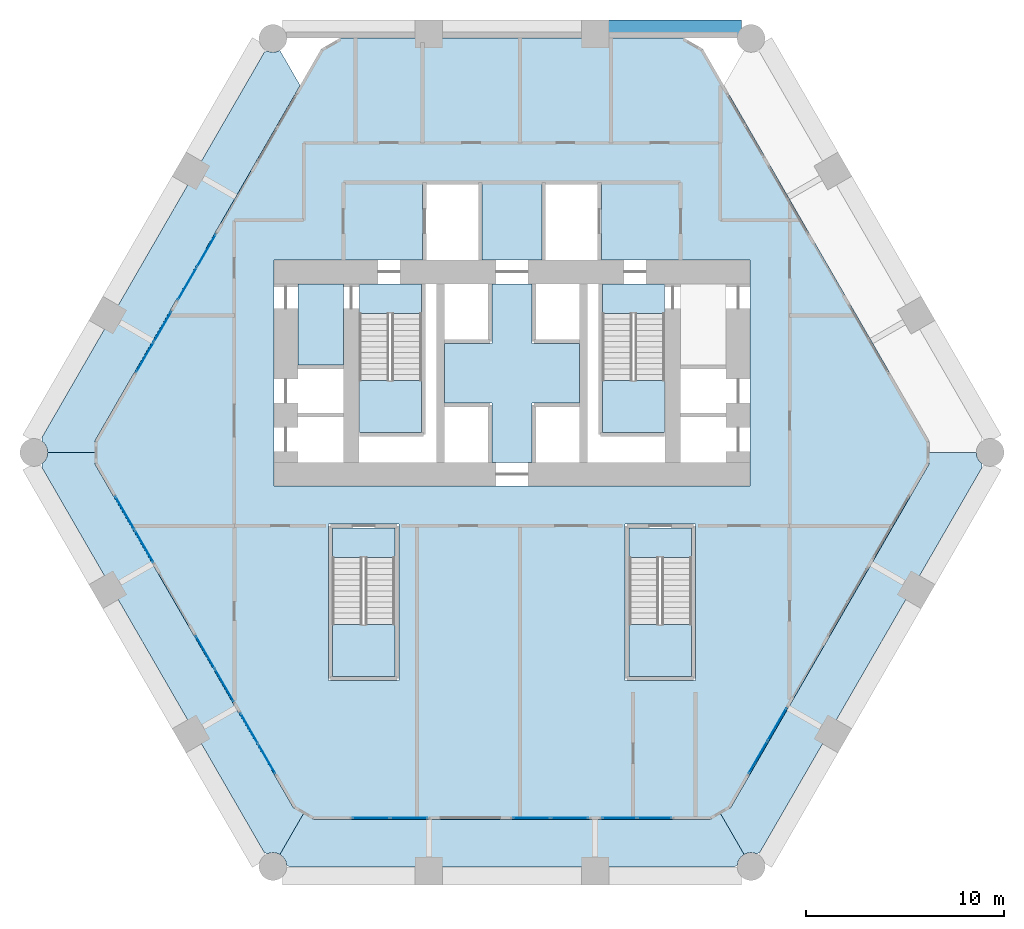
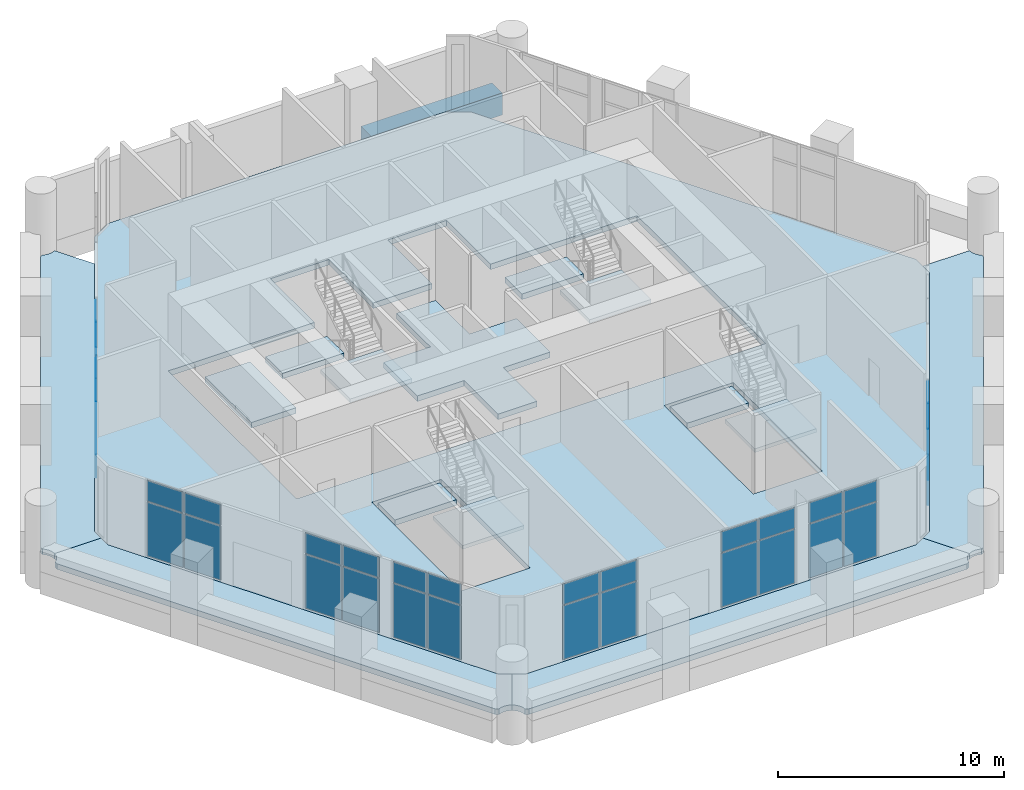
# One storey, part 12 of 18: 36 plates, 15 slabs, 1 beam, 13 elements without a shape of their own.
"""IFC4 building model written with IfcOpenShell, lengths in metres."""

from ifc_helpers import new_model, si_unit, direction, frame, origin, origin_2d, place, context, subcontext, project, spatial, polyline, rectangle, outline, extrude, material, layer, layer_set, material_profile, profile_set, type_object, element, aggregate, save


model = new_model("IFC4")

# Units and contexts
model_context = context("Model", 3, precision=1e-05, world=origin(), true_north=direction((0.0, 1.0)))
body_context = subcontext(model_context, "Body", "Model", "MODEL_VIEW")
ifc_project = project(units=[si_unit("LENGTHUNIT", "METRE"), si_unit("AREAUNIT", "SQUARE_METRE"), si_unit("VOLUMEUNIT", "CUBIC_METRE"), si_unit("PLANEANGLEUNIT", "RADIAN"), si_unit("MASSUNIT", "GRAM", prefix="KILO")], contexts=[model_context])

# Site, building, storey
site_placement = place(None, origin())
site = spatial("IfcSite", under=ifc_project, at=site_placement, CompositionType="ELEMENT")
building_placement = place(site_placement, origin())
building = spatial("IfcBuilding", under=site, at=building_placement, Name="Ostrander Bayou Hotel Tower", CompositionType="ELEMENT")
storey_placement = place(building_placement, frame((0.0, 0.0, 19.0)))
storey = spatial("IfcBuildingStorey", under=building, at=storey_placement, Name="L04", CompositionType="ELEMENT", Elevation=19.0)

# Beam
ifc_material_1 = material(Name="Concrete f'c 70 MPa", Category="concrete")
ifc_material_profile = material_profile(ifc_material_1, rectangle(XDim=0.89990234375, YDim=1.199951171875, at=origin_2d()))
ifc_profile_set = profile_set([ifc_material_profile], Name="Concrete f'c 70 MPa")
beam_type = type_object("IfcBeamType", Name="SP1 spandrel beam 900 x 1200 mm f'c 70 MPa", PredefinedType="SPANDREL", material=ifc_profile_set)
beam_placement = place(storey_placement, frame((11.569091796875, 21.35009765625, -0.60009765625), z_axis=(-1.0, 0.0, 0.0), x_axis=(0.0, -1.0, 0.0)))
element("IfcBeam", 1, at=beam_placement, inside=storey, type_object=beam_type, Name="SP1 L04 N-1", PredefinedType="SPANDREL", context=body_context, shape_type="SweptSolid", body=[
    extrude(rectangle(XDim=0.89990234375, YDim=1.199951171875, at=origin_2d()), origin(), (0.0, 0.0, 1.0), 6.70361328125),
])

# Curtain wall, plates
ifc_material_2 = material(Name="Aluminium and clear glass", Category="aluminium")
curtain_wall_type = type_object("IfcCurtainWallType", Name="CW-SKY amenity glass wall", PredefinedType="NOTDEFINED", material=ifc_material_2)
curtain_wall_1_placement = place(storey_placement, origin())
curtain_wall_1 = element("IfcCurtainWall", 2, at=curtain_wall_1_placement, inside=storey, type_object=curtain_wall_type, Name="CW-SKY L04 NW 3", PredefinedType="NOTDEFINED")
ifc_material_3 = material(Name="Clear laminated glass", Category="glass")
ifc_layer_1 = layer(ifc_material_3, 0.028076171875)
ifc_layer_set_1 = layer_set([ifc_layer_1], Name="CW-SK glazing panel 28 mm")
plate_type = type_object("IfcPlateType", Name="CW-SK glazing panel 28 mm", PredefinedType="CURTAIN_PANEL", material=ifc_layer_set_1)
plate_1_placement = place(storey_placement, frame((-15.401611328125, 10.173828125, 0.06005859375), z_axis=(0.0, 0.0, 1.0), x_axis=(-0.499999897278, -0.866025463091, 0.0)))
plate_1 = element("IfcPlate", 3, at=plate_1_placement, type_object=plate_type, Name="CW-SKY panel 1.1", PredefinedType="CURTAIN_PANEL", context=body_context, shape_type="SweptSolid", body=[
    extrude(rectangle(XDim=1.860107421875, YDim=0.028076171875, at=origin_2d()), origin(), (0.0, 0.0, 1.0), 2.909912109375),
])
plate_2_placement = place(storey_placement, frame((-15.401611328125, 10.173828125, 3.02978515625), z_axis=(0.0, 0.0, 1.0), x_axis=(-0.499999897278, -0.866025463091, 0.0)))
plate_2 = element("IfcPlate", 4, at=plate_2_placement, type_object=plate_type, Name="CW-SKY panel 1.2", PredefinedType="CURTAIN_PANEL", context=body_context, shape_type="SweptSolid", body=[
    extrude(rectangle(XDim=1.860107421875, YDim=0.028076171875, at=origin_2d()), origin(), (0.0, 0.0, 1.0), 1.110107421875),
])
plate_3_placement = place(storey_placement, frame((-16.361572265625, 8.510986328125, 0.06005859375), z_axis=(0.0, 0.0, 1.0), x_axis=(-0.499999897278, -0.866025463091, 0.0)))
plate_3 = element("IfcPlate", 5, at=plate_3_placement, type_object=plate_type, Name="CW-SKY panel 2.1", PredefinedType="CURTAIN_PANEL", context=body_context, shape_type="SweptSolid", body=[
    extrude(rectangle(XDim=1.860107421875, YDim=0.028076171875, at=origin_2d()), origin(), (0.0, 0.0, 1.0), 2.909912109375),
])
plate_4_placement = place(storey_placement, frame((-16.361572265625, 8.510986328125, 3.02978515625), z_axis=(0.0, 0.0, 1.0), x_axis=(-0.499999897278, -0.866025463091, 0.0)))
plate_4 = element("IfcPlate", 6, at=plate_4_placement, type_object=plate_type, Name="CW-SKY panel 2.2", PredefinedType="CURTAIN_PANEL", context=body_context, shape_type="SweptSolid", body=[
    extrude(rectangle(XDim=1.860107421875, YDim=0.028076171875, at=origin_2d()), origin(), (0.0, 0.0, 1.0), 1.110107421875),
])
aggregate(curtain_wall_1, [plate_1, plate_2, plate_3, plate_4])

curtain_wall_2_placement = place(storey_placement, origin())
curtain_wall_2 = element("IfcCurtainWall", 7, at=curtain_wall_2_placement, inside=storey, type_object=curtain_wall_type, Name="CW-SKY L04 NW 4", PredefinedType="NOTDEFINED")
plate_5_placement = place(storey_placement, frame((-17.614013671875, 6.341552734375, 0.06005859375), z_axis=(0.0, 0.0, 1.0), x_axis=(-0.499998972029, -0.866025997283, 0.0)))
plate_5 = element("IfcPlate", 8, at=plate_5_placement, type_object=plate_type, Name="CW-SKY panel 1.1", PredefinedType="CURTAIN_PANEL", context=body_context, shape_type="SweptSolid", body=[
    extrude(rectangle(XDim=1.7099609375, YDim=0.028076171875, at=origin_2d()), origin(), (0.0, 0.0, 1.0), 2.909912109375),
])
plate_6_placement = place(storey_placement, frame((-17.614013671875, 6.341552734375, 3.02978515625), z_axis=(0.0, 0.0, 1.0), x_axis=(-0.499998972029, -0.866025997283, 0.0)))
plate_6 = element("IfcPlate", 9, at=plate_6_placement, type_object=plate_type, Name="CW-SKY panel 1.2", PredefinedType="CURTAIN_PANEL", context=body_context, shape_type="SweptSolid", body=[
    extrude(rectangle(XDim=1.7099609375, YDim=0.028076171875, at=origin_2d()), origin(), (0.0, 0.0, 1.0), 1.110107421875),
])
plate_7_placement = place(storey_placement, frame((-18.4990234375, 4.80859375, 0.06005859375), z_axis=(0.0, 0.0, 1.0), x_axis=(-0.499998972029, -0.866025997283, 0.0)))
plate_7 = element("IfcPlate", 10, at=plate_7_placement, type_object=plate_type, Name="CW-SKY panel 2.1", PredefinedType="CURTAIN_PANEL", context=body_context, shape_type="SweptSolid", body=[
    extrude(rectangle(XDim=1.7099609375, YDim=0.028076171875, at=origin_2d()), origin(), (0.0, 0.0, 1.0), 2.909912109375),
])
plate_8_placement = place(storey_placement, frame((-18.4990234375, 4.80859375, 3.02978515625), z_axis=(0.0, 0.0, 1.0), x_axis=(-0.499998972029, -0.866025997283, 0.0)))
plate_8 = element("IfcPlate", 11, at=plate_8_placement, type_object=plate_type, Name="CW-SKY panel 2.2", PredefinedType="CURTAIN_PANEL", context=body_context, shape_type="SweptSolid", body=[
    extrude(rectangle(XDim=1.7099609375, YDim=0.028076171875, at=origin_2d()), origin(), (0.0, 0.0, 1.0), 1.110107421875),
])
aggregate(curtain_wall_2, [plate_5, plate_6, plate_7, plate_8])

curtain_wall_3_placement = place(storey_placement, origin())
curtain_wall_3 = element("IfcCurtainWall", 12, at=curtain_wall_3_placement, inside=storey, type_object=curtain_wall_type, Name="CW-SKY L04 SW 1", PredefinedType="NOTDEFINED")
plate_9_placement = place(storey_placement, frame((-19.511474609375, -3.05517578125, 0.06005859375), z_axis=(0.0, 0.0, 1.0), x_axis=(0.499999897278, -0.866025463091, 0.0)))
plate_9 = element("IfcPlate", 13, at=plate_9_placement, type_object=plate_type, Name="CW-SKY panel 1.1", PredefinedType="CURTAIN_PANEL", context=body_context, shape_type="SweptSolid", body=[
    extrude(rectangle(XDim=1.860107421875, YDim=0.028076171875, at=origin_2d()), origin(), (0.0, 0.0, 1.0), 2.909912109375),
])
plate_10_placement = place(storey_placement, frame((-19.511474609375, -3.05517578125, 3.02978515625), z_axis=(0.0, 0.0, 1.0), x_axis=(0.499999897278, -0.866025463091, 0.0)))
plate_10 = element("IfcPlate", 14, at=plate_10_placement, type_object=plate_type, Name="CW-SKY panel 1.2", PredefinedType="CURTAIN_PANEL", context=body_context, shape_type="SweptSolid", body=[
    extrude(rectangle(XDim=1.860107421875, YDim=0.028076171875, at=origin_2d()), origin(), (0.0, 0.0, 1.0), 1.110107421875),
])
plate_11_placement = place(storey_placement, frame((-18.551513671875, -4.7177734375, 0.06005859375), z_axis=(0.0, 0.0, 1.0), x_axis=(0.499999897278, -0.866025463091, 0.0)))
plate_11 = element("IfcPlate", 15, at=plate_11_placement, type_object=plate_type, Name="CW-SKY panel 2.1", PredefinedType="CURTAIN_PANEL", context=body_context, shape_type="SweptSolid", body=[
    extrude(rectangle(XDim=1.860107421875, YDim=0.028076171875, at=origin_2d()), origin(), (0.0, 0.0, 1.0), 2.909912109375),
])
plate_12_placement = place(storey_placement, frame((-18.551513671875, -4.7177734375, 3.02978515625), z_axis=(0.0, 0.0, 1.0), x_axis=(0.499999897278, -0.866025463091, 0.0)))
plate_12 = element("IfcPlate", 16, at=plate_12_placement, type_object=plate_type, Name="CW-SKY panel 2.2", PredefinedType="CURTAIN_PANEL", context=body_context, shape_type="SweptSolid", body=[
    extrude(rectangle(XDim=1.860107421875, YDim=0.028076171875, at=origin_2d()), origin(), (0.0, 0.0, 1.0), 1.110107421875),
])
aggregate(curtain_wall_3, [plate_9, plate_10, plate_11, plate_12])

curtain_wall_4_placement = place(storey_placement, origin())
curtain_wall_4 = element("IfcCurtainWall", 17, at=curtain_wall_4_placement, inside=storey, type_object=curtain_wall_type, Name="CW-SKY L04 SW 3", PredefinedType="NOTDEFINED")
plate_13_placement = place(storey_placement, frame((-15.46142578125, -10.06982421875, 0.06005859375), z_axis=(0.0, 0.0, 1.0), x_axis=(0.499999897278, -0.866025463091, 0.0)))
plate_13 = element("IfcPlate", 18, at=plate_13_placement, type_object=plate_type, Name="CW-SKY panel 1.1", PredefinedType="CURTAIN_PANEL", context=body_context, shape_type="SweptSolid", body=[
    extrude(rectangle(XDim=1.860107421875, YDim=0.028076171875, at=origin_2d()), origin(), (0.0, 0.0, 1.0), 2.909912109375),
])
plate_14_placement = place(storey_placement, frame((-15.46142578125, -10.06982421875, 3.02978515625), z_axis=(0.0, 0.0, 1.0), x_axis=(0.499999897278, -0.866025463091, 0.0)))
plate_14 = element("IfcPlate", 19, at=plate_14_placement, type_object=plate_type, Name="CW-SKY panel 1.2", PredefinedType="CURTAIN_PANEL", context=body_context, shape_type="SweptSolid", body=[
    extrude(rectangle(XDim=1.860107421875, YDim=0.028076171875, at=origin_2d()), origin(), (0.0, 0.0, 1.0), 1.110107421875),
])
plate_15_placement = place(storey_placement, frame((-14.50146484375, -11.732666015625, 0.06005859375), z_axis=(0.0, 0.0, 1.0), x_axis=(0.499999897278, -0.866025463091, 0.0)))
plate_15 = element("IfcPlate", 20, at=plate_15_placement, type_object=plate_type, Name="CW-SKY panel 2.1", PredefinedType="CURTAIN_PANEL", context=body_context, shape_type="SweptSolid", body=[
    extrude(rectangle(XDim=1.860107421875, YDim=0.028076171875, at=origin_2d()), origin(), (0.0, 0.0, 1.0), 2.909912109375),
])
plate_16_placement = place(storey_placement, frame((-14.50146484375, -11.732666015625, 3.02978515625), z_axis=(0.0, 0.0, 1.0), x_axis=(0.499999897278, -0.866025463091, 0.0)))
plate_16 = element("IfcPlate", 21, at=plate_16_placement, type_object=plate_type, Name="CW-SKY panel 2.2", PredefinedType="CURTAIN_PANEL", context=body_context, shape_type="SweptSolid", body=[
    extrude(rectangle(XDim=1.860107421875, YDim=0.028076171875, at=origin_2d()), origin(), (0.0, 0.0, 1.0), 1.110107421875),
])
aggregate(curtain_wall_4, [plate_13, plate_14, plate_15, plate_16])

curtain_wall_5_placement = place(storey_placement, origin())
curtain_wall_5 = element("IfcCurtainWall", 22, at=curtain_wall_5_placement, inside=storey, type_object=curtain_wall_type, Name="CW-SKY L04 SW 4", PredefinedType="NOTDEFINED")
plate_17_placement = place(storey_placement, frame((-13.2490234375, -13.902099609375, 0.06005859375), z_axis=(0.0, 0.0, 1.0), x_axis=(0.499998972029, -0.866025997283, 0.0)))
plate_17 = element("IfcPlate", 23, at=plate_17_placement, type_object=plate_type, Name="CW-SKY panel 1.1", PredefinedType="CURTAIN_PANEL", context=body_context, shape_type="SweptSolid", body=[
    extrude(rectangle(XDim=1.7099609375, YDim=0.028076171875, at=origin_2d()), origin(), (0.0, 0.0, 1.0), 2.909912109375),
])
plate_18_placement = place(storey_placement, frame((-13.2490234375, -13.902099609375, 3.02978515625), z_axis=(0.0, 0.0, 1.0), x_axis=(0.499998972029, -0.866025997283, 0.0)))
plate_18 = element("IfcPlate", 24, at=plate_18_placement, type_object=plate_type, Name="CW-SKY panel 1.2", PredefinedType="CURTAIN_PANEL", context=body_context, shape_type="SweptSolid", body=[
    extrude(rectangle(XDim=1.7099609375, YDim=0.028076171875, at=origin_2d()), origin(), (0.0, 0.0, 1.0), 1.110107421875),
])
plate_19_placement = place(storey_placement, frame((-12.364013671875, -15.434814453125, 0.06005859375), z_axis=(0.0, 0.0, 1.0), x_axis=(0.499998972029, -0.866025997283, 0.0)))
plate_19 = element("IfcPlate", 25, at=plate_19_placement, type_object=plate_type, Name="CW-SKY panel 2.1", PredefinedType="CURTAIN_PANEL", context=body_context, shape_type="SweptSolid", body=[
    extrude(rectangle(XDim=1.7099609375, YDim=0.028076171875, at=origin_2d()), origin(), (0.0, 0.0, 1.0), 2.909912109375),
])
plate_20_placement = place(storey_placement, frame((-12.364013671875, -15.434814453125, 3.02978515625), z_axis=(0.0, 0.0, 1.0), x_axis=(0.499998972029, -0.866025997283, 0.0)))
plate_20 = element("IfcPlate", 26, at=plate_20_placement, type_object=plate_type, Name="CW-SKY panel 2.2", PredefinedType="CURTAIN_PANEL", context=body_context, shape_type="SweptSolid", body=[
    extrude(rectangle(XDim=1.7099609375, YDim=0.028076171875, at=origin_2d()), origin(), (0.0, 0.0, 1.0), 1.110107421875),
])
aggregate(curtain_wall_5, [plate_17, plate_18, plate_19, plate_20])

curtain_wall_6_placement = place(storey_placement, origin())
curtain_wall_6 = element("IfcCurtainWall", 27, at=curtain_wall_6_placement, inside=storey, type_object=curtain_wall_type, Name="CW-SKY L04 S 1", PredefinedType="NOTDEFINED")
plate_21_placement = place(storey_placement, frame((-7.110107421875, -18.425048828125, 0.06005859375), z_axis=(0.0, 0.0, 1.0), x_axis=(1.0, 0.0, 0.0)))
plate_21 = element("IfcPlate", 28, at=plate_21_placement, type_object=plate_type, Name="CW-SKY panel 1.1", PredefinedType="CURTAIN_PANEL", context=body_context, shape_type="SweptSolid", body=[
    extrude(rectangle(XDim=1.860107421875, YDim=0.028076171875, at=origin_2d()), origin(), (0.0, 0.0, 1.0), 2.909912109375),
])
plate_22_placement = place(storey_placement, frame((-7.110107421875, -18.425048828125, 3.02978515625), z_axis=(0.0, 0.0, 1.0), x_axis=(1.0, 0.0, 0.0)))
plate_22 = element("IfcPlate", 29, at=plate_22_placement, type_object=plate_type, Name="CW-SKY panel 1.2", PredefinedType="CURTAIN_PANEL", context=body_context, shape_type="SweptSolid", body=[
    extrude(rectangle(XDim=1.860107421875, YDim=0.028076171875, at=origin_2d()), origin(), (0.0, 0.0, 1.0), 1.110107421875),
])
plate_23_placement = place(storey_placement, frame((-5.18994140625, -18.425048828125, 0.06005859375), z_axis=(0.0, 0.0, 1.0), x_axis=(1.0, 0.0, 0.0)))
plate_23 = element("IfcPlate", 30, at=plate_23_placement, type_object=plate_type, Name="CW-SKY panel 2.1", PredefinedType="CURTAIN_PANEL", context=body_context, shape_type="SweptSolid", body=[
    extrude(rectangle(XDim=1.860107421875, YDim=0.028076171875, at=origin_2d()), origin(), (0.0, 0.0, 1.0), 2.909912109375),
])
plate_24_placement = place(storey_placement, frame((-5.18994140625, -18.425048828125, 3.02978515625), z_axis=(0.0, 0.0, 1.0), x_axis=(1.0, 0.0, 0.0)))
plate_24 = element("IfcPlate", 31, at=plate_24_placement, type_object=plate_type, Name="CW-SKY panel 2.2", PredefinedType="CURTAIN_PANEL", context=body_context, shape_type="SweptSolid", body=[
    extrude(rectangle(XDim=1.860107421875, YDim=0.028076171875, at=origin_2d()), origin(), (0.0, 0.0, 1.0), 1.110107421875),
])
aggregate(curtain_wall_6, [plate_21, plate_22, plate_23, plate_24])

curtain_wall_7_placement = place(storey_placement, origin())
curtain_wall_7 = element("IfcCurtainWall", 32, at=curtain_wall_7_placement, inside=storey, type_object=curtain_wall_type, Name="CW-SKY L04 S 3", PredefinedType="NOTDEFINED")
plate_25_placement = place(storey_placement, frame((0.989990234375, -18.425048828125, 0.06005859375), z_axis=(0.0, 0.0, 1.0), x_axis=(1.0, 0.0, 0.0)))
plate_25 = element("IfcPlate", 33, at=plate_25_placement, type_object=plate_type, Name="CW-SKY panel 1.1", PredefinedType="CURTAIN_PANEL", context=body_context, shape_type="SweptSolid", body=[
    extrude(rectangle(XDim=1.860107421875, YDim=0.028076171875, at=origin_2d()), origin(), (0.0, 0.0, 1.0), 2.909912109375),
])
plate_26_placement = place(storey_placement, frame((0.989990234375, -18.425048828125, 3.02978515625), z_axis=(0.0, 0.0, 1.0), x_axis=(1.0, 0.0, 0.0)))
plate_26 = element("IfcPlate", 34, at=plate_26_placement, type_object=plate_type, Name="CW-SKY panel 1.2", PredefinedType="CURTAIN_PANEL", context=body_context, shape_type="SweptSolid", body=[
    extrude(rectangle(XDim=1.860107421875, YDim=0.028076171875, at=origin_2d()), origin(), (0.0, 0.0, 1.0), 1.110107421875),
])
plate_27_placement = place(storey_placement, frame((2.909912109375, -18.425048828125, 0.06005859375), z_axis=(0.0, 0.0, 1.0), x_axis=(1.0, 0.0, 0.0)))
plate_27 = element("IfcPlate", 35, at=plate_27_placement, type_object=plate_type, Name="CW-SKY panel 2.1", PredefinedType="CURTAIN_PANEL", context=body_context, shape_type="SweptSolid", body=[
    extrude(rectangle(XDim=1.860107421875, YDim=0.028076171875, at=origin_2d()), origin(), (0.0, 0.0, 1.0), 2.909912109375),
])
plate_28_placement = place(storey_placement, frame((2.909912109375, -18.425048828125, 3.02978515625), z_axis=(0.0, 0.0, 1.0), x_axis=(1.0, 0.0, 0.0)))
plate_28 = element("IfcPlate", 36, at=plate_28_placement, type_object=plate_type, Name="CW-SKY panel 2.2", PredefinedType="CURTAIN_PANEL", context=body_context, shape_type="SweptSolid", body=[
    extrude(rectangle(XDim=1.860107421875, YDim=0.028076171875, at=origin_2d()), origin(), (0.0, 0.0, 1.0), 1.110107421875),
])
aggregate(curtain_wall_7, [plate_25, plate_26, plate_27, plate_28])

curtain_wall_8_placement = place(storey_placement, origin())
curtain_wall_8 = element("IfcCurtainWall", 37, at=curtain_wall_8_placement, inside=storey, type_object=curtain_wall_type, Name="CW-SKY L04 S 4", PredefinedType="NOTDEFINED")
plate_29_placement = place(storey_placement, frame((5.4150390625, -18.425048828125, 0.06005859375), z_axis=(0.0, 0.0, 1.0), x_axis=(1.0, 0.0, 0.0)))
plate_29 = element("IfcPlate", 38, at=plate_29_placement, type_object=plate_type, Name="CW-SKY panel 1.1", PredefinedType="CURTAIN_PANEL", context=body_context, shape_type="SweptSolid", body=[
    extrude(rectangle(XDim=1.7099609375, YDim=0.028076171875, at=origin_2d()), origin(), (0.0, 0.0, 1.0), 2.909912109375),
])
plate_30_placement = place(storey_placement, frame((5.4150390625, -18.425048828125, 3.02978515625), z_axis=(0.0, 0.0, 1.0), x_axis=(1.0, 0.0, 0.0)))
plate_30 = element("IfcPlate", 39, at=plate_30_placement, type_object=plate_type, Name="CW-SKY panel 1.2", PredefinedType="CURTAIN_PANEL", context=body_context, shape_type="SweptSolid", body=[
    extrude(rectangle(XDim=1.7099609375, YDim=0.028076171875, at=origin_2d()), origin(), (0.0, 0.0, 1.0), 1.110107421875),
])
plate_31_placement = place(storey_placement, frame((7.18505859375, -18.425048828125, 0.06005859375), z_axis=(0.0, 0.0, 1.0), x_axis=(1.0, 0.0, 0.0)))
plate_31 = element("IfcPlate", 40, at=plate_31_placement, type_object=plate_type, Name="CW-SKY panel 2.1", PredefinedType="CURTAIN_PANEL", context=body_context, shape_type="SweptSolid", body=[
    extrude(rectangle(XDim=1.7099609375, YDim=0.028076171875, at=origin_2d()), origin(), (0.0, 0.0, 1.0), 2.909912109375),
])
plate_32_placement = place(storey_placement, frame((7.18505859375, -18.425048828125, 3.02978515625), z_axis=(0.0, 0.0, 1.0), x_axis=(1.0, 0.0, 0.0)))
plate_32 = element("IfcPlate", 41, at=plate_32_placement, type_object=plate_type, Name="CW-SKY panel 2.2", PredefinedType="CURTAIN_PANEL", context=body_context, shape_type="SweptSolid", body=[
    extrude(rectangle(XDim=1.7099609375, YDim=0.028076171875, at=origin_2d()), origin(), (0.0, 0.0, 1.0), 1.110107421875),
])
aggregate(curtain_wall_8, [plate_29, plate_30, plate_31, plate_32])

curtain_wall_9_placement = place(storey_placement, origin())
curtain_wall_9 = element("IfcCurtainWall", 42, at=curtain_wall_9_placement, inside=storey, type_object=curtain_wall_type, Name="CW-SKY L04 SE 1", PredefinedType="NOTDEFINED")
plate_33_placement = place(storey_placement, frame((12.401611328125, -15.369873046875, 0.06005859375), z_axis=(0.0, 0.0, 1.0), x_axis=(0.499999897278, 0.866025463091, 0.0)))
plate_33 = element("IfcPlate", 43, at=plate_33_placement, type_object=plate_type, Name="CW-SKY panel 1.1", PredefinedType="CURTAIN_PANEL", context=body_context, shape_type="SweptSolid", body=[
    extrude(rectangle(XDim=1.860107421875, YDim=0.028076171875, at=origin_2d()), origin(), (0.0, 0.0, 1.0), 2.909912109375),
])
plate_34_placement = place(storey_placement, frame((12.401611328125, -15.369873046875, 3.02978515625), z_axis=(0.0, 0.0, 1.0), x_axis=(0.499999897278, 0.866025463091, 0.0)))
plate_34 = element("IfcPlate", 44, at=plate_34_placement, type_object=plate_type, Name="CW-SKY panel 1.2", PredefinedType="CURTAIN_PANEL", context=body_context, shape_type="SweptSolid", body=[
    extrude(rectangle(XDim=1.860107421875, YDim=0.028076171875, at=origin_2d()), origin(), (0.0, 0.0, 1.0), 1.110107421875),
])
plate_35_placement = place(storey_placement, frame((13.361572265625, -13.707275390625, 0.06005859375), z_axis=(0.0, 0.0, 1.0), x_axis=(0.499999897278, 0.866025463091, 0.0)))
plate_35 = element("IfcPlate", 45, at=plate_35_placement, type_object=plate_type, Name="CW-SKY panel 2.1", PredefinedType="CURTAIN_PANEL", context=body_context, shape_type="SweptSolid", body=[
    extrude(rectangle(XDim=1.860107421875, YDim=0.028076171875, at=origin_2d()), origin(), (0.0, 0.0, 1.0), 2.909912109375),
])
plate_36_placement = place(storey_placement, frame((13.361572265625, -13.707275390625, 3.02978515625), z_axis=(0.0, 0.0, 1.0), x_axis=(0.499999897278, 0.866025463091, 0.0)))
plate_36 = element("IfcPlate", 46, at=plate_36_placement, type_object=plate_type, Name="CW-SKY panel 2.2", PredefinedType="CURTAIN_PANEL", context=body_context, shape_type="SweptSolid", body=[
    extrude(rectangle(XDim=1.860107421875, YDim=0.028076171875, at=origin_2d()), origin(), (0.0, 0.0, 1.0), 1.110107421875),
])
aggregate(curtain_wall_9, [plate_33, plate_34, plate_35, plate_36])

# Slabs
ifc_material_4 = material(Name="Concrete f'c 40 MPa", Category="concrete")
ifc_layer_2 = layer(ifc_material_4, 0.300048828125)
ifc_layer_set_2 = layer_set([ifc_layer_2], Name="SL1 floor slab 300 mm f'c 40 MPa")
slab_type_1 = type_object("IfcSlabType", Name="SL1 floor slab 300 mm f'c 40 MPa", PredefinedType="FLOOR", material=ifc_layer_set_2)
slab_1_placement = place(storey_placement, frame((0.0, 0.0, -0.300048828125)))
element("IfcSlab", 47, at=slab_1_placement, inside=storey, type_object=slab_type_1, Name="SL1 L04 1", PredefinedType="FLOOR", context=body_context, shape_type="SweptSolid", body=[
    extrude(outline(polyline([(-3.525390625, 20.89990234375), (3.525390625, 20.89990234375), (4.865478515625, 20.89990234375), (8.6025390625, 20.89990234375), (9.6416015625, 20.300048828125), (21.015380859375, 0.60009765625), (21.015380859375, -0.60009765625), (11.02734375, -17.89990234375), (9.98828125, -18.5), (-9.98828125, -18.5), (-11.02734375, -17.89990234375), (-21.015380859375, -0.60009765625), (-21.015380859375, 0.60009765625), (-9.6416015625, 20.300048828125), (-8.6025390625, 20.89990234375), (-4.865478515625, 20.89990234375), (-3.525390625, 20.89990234375)]), holes=[polyline([(-12.0, -1.699951171875), (12.0, -1.699951171875), (12.0, 9.699951171875), (4.5, 9.699951171875), (4.5, 13.60009765625), (1.5, 13.60009765625), (1.5, 9.699951171875), (-1.5, 9.699951171875), (-1.5, 13.60009765625), (-4.5, 13.60009765625), (-4.5, 9.699951171875), (-12.0, 9.699951171875), (-12.0, -1.699951171875)]), polyline([(9.25, -3.60009765625), (5.699951171875, -3.60009765625), (5.699951171875, -11.5), (9.25, -11.5), (9.25, -3.60009765625)]), polyline([(-5.699951171875, -3.60009765625), (-9.25, -3.60009765625), (-9.25, -11.5), (-5.699951171875, -11.5), (-5.699951171875, -3.60009765625)])]), origin(), (0.0, 0.0, 1.0), 0.300048828125),
])
slab_2_placement = place(storey_placement, frame((0.0, 0.0, -0.300048828125)))
element("IfcSlab", 48, at=slab_2_placement, inside=storey, type_object=slab_type_1, Name="cslab:L04:001", PredefinedType="FLOOR", context=body_context, shape_type="SweptSolid", body=[
    extrude(outline(polyline([(-3.39990234375, 5.5), (-1.0, 5.5), (-1.0, 8.5), (1.0, 8.5), (1.0, 5.5), (3.39990234375, 5.5), (3.39990234375, 2.5), (1.0, 2.5), (1.0, -0.5), (-1.0, -0.5), (-1.0, 2.5), (-3.39990234375, 2.5), (-3.39990234375, 5.5)])), origin(), (0.0, 0.0, 1.0), 0.300048828125),
])
slab_3_placement = place(storey_placement, frame((0.0, 0.0, -0.300048828125)))
element("IfcSlab", 49, at=slab_3_placement, inside=storey, type_object=slab_type_1, Name="cslab:L04:002", PredefinedType="FLOOR", context=body_context, shape_type="SweptSolid", body=[
    extrude(outline(polyline([(-8.5, 4.39990234375), (-8.5, 8.5), (-10.800048828125, 8.5), (-10.800048828125, 4.39990234375), (-8.5, 4.39990234375)])), origin(), (0.0, 0.0, 1.0), 0.300048828125),
])
slab_4_placement = place(storey_placement, frame((0.0, 0.0, -0.300048828125)))
element("IfcSlab", 50, at=slab_4_placement, inside=storey, type_object=slab_type_1, Name="cslab:L04:004", PredefinedType="FLOOR", context=body_context, shape_type="SweptSolid", body=[
    extrude(outline(polyline([(-4.550048828125, 7.0), (-4.550048828125, 8.5), (-7.699951171875, 8.5), (-7.699951171875, 7.0), (-4.550048828125, 7.0)])), origin(), (0.0, 0.0, 1.0), 0.300048828125),
])
slab_5_placement = place(storey_placement, frame((0.0, 0.0, -0.300048828125)))
element("IfcSlab", 51, at=slab_5_placement, inside=storey, type_object=slab_type_1, Name="cslab:L04:005", PredefinedType="FLOOR", context=body_context, shape_type="SweptSolid", body=[
    extrude(outline(polyline([(7.699951171875, 7.0), (7.699951171875, 8.5), (4.550048828125, 8.5), (4.550048828125, 7.0), (7.699951171875, 7.0)])), origin(), (0.0, 0.0, 1.0), 0.300048828125),
])
slab_6_placement = place(storey_placement, frame((0.0, 0.0, -0.300048828125)))
element("IfcSlab", 52, at=slab_6_placement, inside=storey, type_object=slab_type_1, Name="cslab:L04:006", PredefinedType="FLOOR", context=body_context, shape_type="SweptSolid", body=[
    extrude(outline(polyline([(9.050048828125, -5.300048828125), (9.050048828125, -3.800048828125), (5.89990234375, -3.800048828125), (5.89990234375, -5.300048828125), (9.050048828125, -5.300048828125)])), origin(), (0.0, 0.0, 1.0), 0.300048828125),
])
slab_7_placement = place(storey_placement, frame((0.0, 0.0, -0.300048828125)))
element("IfcSlab", 53, at=slab_7_placement, inside=storey, type_object=slab_type_1, Name="cslab:L04:007", PredefinedType="FLOOR", context=body_context, shape_type="SweptSolid", body=[
    extrude(outline(polyline([(-5.89990234375, -5.300048828125), (-5.89990234375, -3.800048828125), (-9.050048828125, -3.800048828125), (-9.050048828125, -5.300048828125), (-5.89990234375, -5.300048828125)])), origin(), (0.0, 0.0, 1.0), 0.300048828125),
])
ifc_material_5 = material(Name="Concrete f'c 40 MPa", Category="concrete")
ifc_layer_3 = layer(ifc_material_5, 0.300048828125)
ifc_layer_set_3 = layer_set([ifc_layer_3], Name="SL4 loggia slab 300 mm f'c 40 MPa")
slab_type_2 = type_object("IfcSlabType", Name="SL4 loggia slab 300 mm f'c 40 MPa", PredefinedType="FLOOR", material=ifc_layer_set_3)
slab_8_placement = place(storey_placement, frame((0.0, 0.0, -0.300048828125)))
element("IfcSlab", 54, at=slab_8_placement, inside=storey, type_object=slab_type_2, Name="SL4 LOGGIA L04 NW 1", PredefinedType="FLOOR", context=body_context, shape_type="SweptSolid", body=[
    extrude(outline(polyline([(-23.401123046875, 0.0), (-23.41455078125, 0.13671875), (-23.45458984375, 0.267822265625), (-23.519287109375, 0.388916015625), (-23.606201171875, 0.4951171875), (-23.7001953125, 0.572021484375), (-23.7001953125, 0.75), (-20.53271484375, 6.236328125), (-19.862548828125, 7.39697265625), (-16.337158203125, 13.503173828125), (-15.667236328125, 14.66357421875), (-12.49951171875, 20.14990234375), (-12.344482421875, 20.239501953125), (-12.318603515625, 20.2255859375), (-12.187255859375, 20.185791015625), (-12.050537109375, 20.172119140625), (-11.9140625, 20.185791015625), (-11.78271484375, 20.2255859375), (-11.7021484375, 20.2685546875), (-10.680908203125, 18.5), (-21.015380859375, 0.60009765625), (-21.015380859375, 0.0), (-23.401123046875, 0.0)])), origin(), (0.0, 0.0, 1.0), 0.300048828125),
])
slab_9_placement = place(storey_placement, frame((0.0, 0.0, -0.300048828125)))
element("IfcSlab", 55, at=slab_9_placement, inside=storey, type_object=slab_type_2, Name="SL4 LOGGIA L04 SW 1", PredefinedType="FLOOR", context=body_context, shape_type="SweptSolid", body=[
    extrude(outline(polyline([(-10.5078125, -18.199951171875), (-11.7021484375, -20.2685546875), (-11.78271484375, -20.2255859375), (-11.9140625, -20.185791015625), (-12.050537109375, -20.172119140625), (-12.187255859375, -20.185791015625), (-12.318603515625, -20.2255859375), (-12.344482421875, -20.239501953125), (-12.49951171875, -20.14990234375), (-15.667236328125, -14.66357421875), (-16.337158203125, -13.503173828125), (-19.862548828125, -7.39697265625), (-20.53271484375, -6.236328125), (-23.505126953125, -1.087890625), (-23.7001953125, -0.75), (-23.7001953125, -0.572021484375), (-23.606201171875, -0.4951171875), (-23.519287109375, -0.388916015625), (-23.45458984375, -0.267822265625), (-23.41455078125, -0.13671875), (-23.401123046875, 0.0), (-21.015380859375, 0.0), (-21.015380859375, -0.60009765625), (-11.02734375, -17.89990234375), (-10.5078125, -18.199951171875)])), origin(), (0.0, 0.0, 1.0), 0.300048828125),
])
slab_10_placement = place(storey_placement, frame((0.0, 0.0, -0.300048828125)))
element("IfcSlab", 56, at=slab_10_placement, inside=storey, type_object=slab_type_2, Name="SL4 LOGGIA L04 S 1", PredefinedType="FLOOR", context=body_context, shape_type="SweptSolid", body=[
    extrude(outline(polyline([(10.5078125, -18.199951171875), (11.7021484375, -20.2685546875), (11.66162109375, -20.290283203125), (11.5556640625, -20.377197265625), (11.468505859375, -20.4833984375), (11.40380859375, -20.6044921875), (11.364013671875, -20.735595703125), (11.356689453125, -20.809814453125), (11.20068359375, -20.89990234375), (4.865478515625, -20.89990234375), (3.525390625, -20.89990234375), (-3.525390625, -20.89990234375), (-4.865478515625, -20.89990234375), (-11.20068359375, -20.89990234375), (-11.356689453125, -20.809814453125), (-11.364013671875, -20.735595703125), (-11.40380859375, -20.6044921875), (-11.468505859375, -20.4833984375), (-11.5556640625, -20.377197265625), (-11.66162109375, -20.290283203125), (-11.7021484375, -20.2685546875), (-10.5078125, -18.199951171875), (-9.98828125, -18.5), (9.98828125, -18.5), (10.5078125, -18.199951171875)])), origin(), (0.0, 0.0, 1.0), 0.300048828125),
])
slab_11_placement = place(storey_placement, frame((0.0, 0.0, -0.300048828125)))
element("IfcSlab", 57, at=slab_11_placement, inside=storey, type_object=slab_type_2, Name="SL4 LOGGIA L04 SE 1", PredefinedType="FLOOR", context=body_context, shape_type="SweptSolid", body=[
    extrude(outline(polyline([(21.015380859375, 0.0), (23.401123046875, 0.0), (23.41455078125, -0.13671875), (23.45458984375, -0.267822265625), (23.519287109375, -0.388916015625), (23.606201171875, -0.4951171875), (23.7001953125, -0.572021484375), (23.7001953125, -0.75), (20.53271484375, -6.236328125), (19.862548828125, -7.39697265625), (16.337158203125, -13.503173828125), (15.667236328125, -14.66357421875), (12.49951171875, -20.14990234375), (12.344482421875, -20.239501953125), (12.318603515625, -20.2255859375), (12.187255859375, -20.185791015625), (12.050537109375, -20.172119140625), (11.9140625, -20.185791015625), (11.78271484375, -20.2255859375), (11.7021484375, -20.2685546875), (10.5078125, -18.199951171875), (11.02734375, -17.89990234375), (21.015380859375, -0.60009765625), (21.015380859375, 0.0)])), origin(), (0.0, 0.0, 1.0), 0.300048828125),
])

# Stair, slab
ifc_material_6 = material(Name="Concrete f'c 45 MPa", Category="concrete")
stair_type = type_object("IfcStairType", Name="ST1 exit stair 1500 mm f'c 45 MPa", PredefinedType="HALF_TURN_STAIR", material=ifc_material_6)
stair_1_placement = place(storey_placement, origin())
stair_1 = element("IfcStair", 58, at=stair_1_placement, inside=storey, type_object=stair_type, Name="L04 exit stair A", PredefinedType="HALF_TURN_STAIR")
ifc_material_7 = material(Name="Concrete f'c 45 MPa", Category="concrete")
ifc_layer_4 = layer(ifc_material_7, 0.199951171875)
ifc_layer_set_4 = layer_set([ifc_layer_4], Name="SL8 stair landing 200 mm f'c 45 MPa")
slab_type_3 = type_object("IfcSlabType", Name="SL8 stair landing 200 mm f'c 45 MPa", PredefinedType="LANDING", material=ifc_layer_set_4)
slab_12_placement = place(storey_placement, frame((0.0, 0.0, 2.050048828125)))
slab_12 = element("IfcSlab", 59, at=slab_12_placement, type_object=slab_type_3, Name="STA landing 1", PredefinedType="LANDING", context=body_context, shape_type="SweptSolid", body=[
    extrude(outline(polyline([(-7.699951171875, 3.639892578125), (-7.699951171875, 1.0), (-4.550048828125, 1.0), (-4.550048828125, 3.639892578125), (-7.699951171875, 3.639892578125)])), origin(), (0.0, 0.0, 1.0), 0.199951171875),
])
aggregate(stair_1, [slab_12])

stair_2_placement = place(storey_placement, origin())
stair_2 = element("IfcStair", 60, at=stair_2_placement, inside=storey, type_object=stair_type, Name="L04 exit stair B", PredefinedType="HALF_TURN_STAIR")
slab_13_placement = place(storey_placement, frame((0.0, 0.0, 2.050048828125)))
slab_13 = element("IfcSlab", 61, at=slab_13_placement, type_object=slab_type_3, Name="STB landing 1", PredefinedType="LANDING", context=body_context, shape_type="SweptSolid", body=[
    extrude(outline(polyline([(4.550048828125, 3.639892578125), (4.550048828125, 1.0), (7.699951171875, 1.0), (7.699951171875, 3.639892578125), (4.550048828125, 3.639892578125)])), origin(), (0.0, 0.0, 1.0), 0.199951171875),
])
aggregate(stair_2, [slab_13])

stair_3_placement = place(storey_placement, origin())
stair_3 = element("IfcStair", 62, at=stair_3_placement, inside=storey, type_object=stair_type, Name="L04 exit stair C", PredefinedType="HALF_TURN_STAIR")
slab_14_placement = place(storey_placement, frame((0.0, 0.0, 2.050048828125)))
slab_14 = element("IfcSlab", 63, at=slab_14_placement, type_object=slab_type_3, Name="STC landing 1", PredefinedType="LANDING", context=body_context, shape_type="SweptSolid", body=[
    extrude(outline(polyline([(5.89990234375, -8.659912109375), (5.89990234375, -11.300048828125), (9.050048828125, -11.300048828125), (9.050048828125, -8.659912109375), (5.89990234375, -8.659912109375)])), origin(), (0.0, 0.0, 1.0), 0.199951171875),
])
aggregate(stair_3, [slab_14])

stair_4_placement = place(storey_placement, origin())
stair_4 = element("IfcStair", 64, at=stair_4_placement, inside=storey, type_object=stair_type, Name="L04 exit stair D", PredefinedType="HALF_TURN_STAIR")
slab_15_placement = place(storey_placement, frame((0.0, 0.0, 2.050048828125)))
slab_15 = element("IfcSlab", 65, at=slab_15_placement, type_object=slab_type_3, Name="STD landing 1", PredefinedType="LANDING", context=body_context, shape_type="SweptSolid", body=[
    extrude(outline(polyline([(-9.050048828125, -8.659912109375), (-9.050048828125, -11.300048828125), (-5.89990234375, -11.300048828125), (-5.89990234375, -8.659912109375), (-9.050048828125, -8.659912109375)])), origin(), (0.0, 0.0, 1.0), 0.199951171875),
])
aggregate(stair_4, [slab_15])

save(model, "model.ifc")
